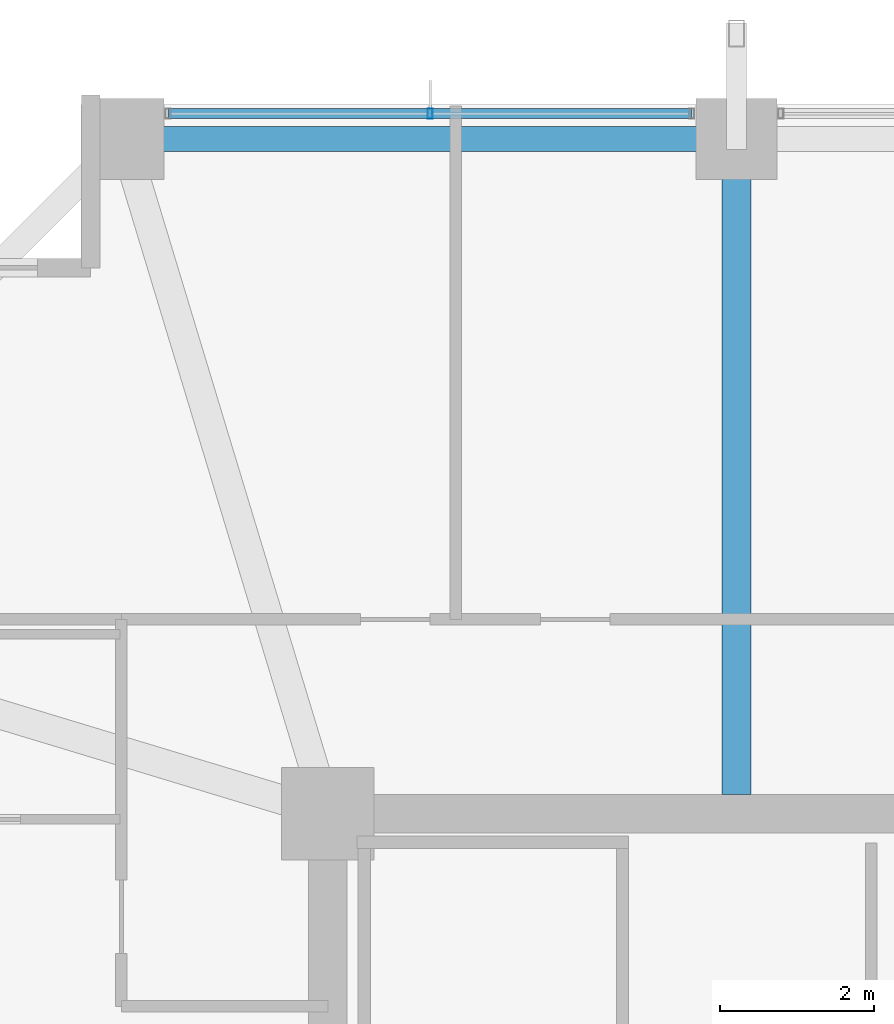
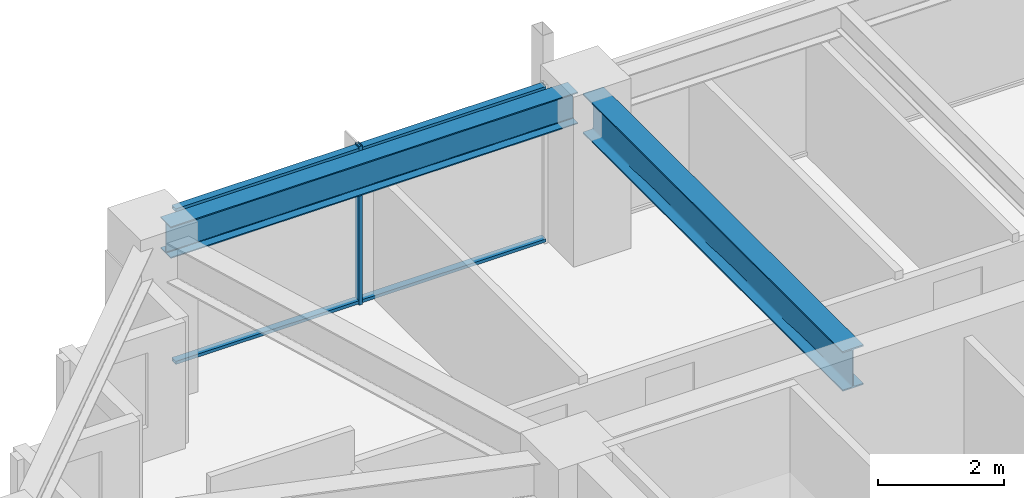
# One storey, part 21 of 38: 3 members, 2 beams, 1 element without a shape of its own.
"""IFC4 building model written with IfcOpenShell, lengths in metres."""

import ifcopenshell
import ifcopenshell.guid

model = None  # the IFC model being written
_history = None  # IfcOwnerHistory: only IFC2X3 demands one
_inside = {}  # id of a spatial element -> (the spatial element, [elements in it])
_under = {}  # id of a project, library or spatial element -> (it, [spatial elements below it])
_declared = {}  # id of a project -> (the project, [libraries it declares])
_typed = {}  # id of a type object -> (the type object, [elements of that type])
_made_of = {}  # id of a material, layer set ... -> (it, [elements and type objects made of it])


def new_model(schema):
    """Start an empty IFC model of exactly this schema.

    Asked for "IFC4X3", IfcOpenShell would pick the latest addendum, in which some entities
    have other attributes; the version numbers below select the first issue.
    IFC2X3 requires an IfcOwnerHistory on every rooted entity: one is made here for all.
    """
    global model, _history
    if schema == "IFC4X3":
        model = ifcopenshell.file(schema_version=(4, 3, 0, 0))
    else:
        model = ifcopenshell.file(schema=schema)
    _inside.clear()
    _under.clear()
    _declared.clear()
    _typed.clear()
    _made_of.clear()
    _history = None
    if model.schema == "IFC2X3":
        org = make("IfcOrganization", Name="unknown")
        user = make(
            "IfcPersonAndOrganization",
            ThePerson=make("IfcPerson", FamilyName="unknown"),
            TheOrganization=org,
        )
        app = make(
            "IfcApplication",
            ApplicationDeveloper=org,
            Version="unknown",
            ApplicationFullName="unknown",
            ApplicationIdentifier="unknown",
        )
        _history = make(
            "IfcOwnerHistory",
            OwningUser=user,
            OwningApplication=app,
            ChangeAction="ADDED",
            CreationDate=0,
        )
    return model


def make(cls, **values):
    """One entity of the class cls with the attributes given. An attribute that is None is left unset."""
    return model.create_entity(
        cls, **{name: value for name, value in values.items() if value is not None}
    )


def rooted(cls, **values):
    """An entity with a GlobalId (a new one), such as an element, a storey or a relation."""
    return make(cls, GlobalId=ifcopenshell.guid.new(), OwnerHistory=_history, **values)


def si_unit(unit_type, name, prefix=None):
    """IfcSIUnit, for example si_unit("LENGTHUNIT", "METRE", prefix="MILLI")."""
    return make("IfcSIUnit", UnitType=unit_type, Prefix=prefix, Name=name)


def assignment(units):
    """IfcUnitAssignment: the units of a project."""
    return None if units is None else make("IfcUnitAssignment", Units=units)


def point(xyz):
    """IfcCartesianPoint."""
    return None if xyz is None else make("IfcCartesianPoint", Coordinates=xyz)


def direction(xyz):
    """IfcDirection."""
    return None if xyz is None else make("IfcDirection", DirectionRatios=xyz)


def frame(location, z_axis=None, x_axis=None):
    """IfcAxis2Placement3D, a coordinate frame: its origin and axes. An axis left out is left unset."""
    return make(
        "IfcAxis2Placement3D",
        Location=point(location),
        Axis=direction(z_axis),
        RefDirection=direction(x_axis),
    )


def frame_2d(location, x_axis=None):
    """IfcAxis2Placement2D, a coordinate frame in the plane: its origin and x axis."""
    return make(
        "IfcAxis2Placement2D", Location=point(location), RefDirection=direction(x_axis)
    )


def origin():
    """The frame at (0, 0, 0) with its axes left unset."""
    return frame((0.0, 0.0, 0.0))


def origin_2d():
    """The frame at (0, 0) in the plane with its x axis left unset."""
    return frame_2d((0.0, 0.0))


def place(relative_to, where):
    """IfcLocalPlacement: puts the frame where relative to a parent placement (None: the world)."""
    return make(
        "IfcLocalPlacement", PlacementRelTo=relative_to, RelativePlacement=where
    )


def context(
    kind, dimensions, precision=None, world=None, true_north=None, identifier=None
):
    """IfcGeometricRepresentationContext, for example the 3D "Model" context."""
    return make(
        "IfcGeometricRepresentationContext",
        ContextIdentifier=identifier,
        ContextType=kind,
        CoordinateSpaceDimension=dimensions,
        Precision=precision,
        WorldCoordinateSystem=world,
        TrueNorth=true_north,
    )


def subcontext(parent, identifier, kind, view, scale=None):
    """IfcGeometricRepresentationSubContext, for example "Body" below "Model"."""
    return make(
        "IfcGeometricRepresentationSubContext",
        ContextIdentifier=identifier,
        ContextType=kind,
        ParentContext=parent,
        TargetScale=scale,
        TargetView=view,
    )


def project(units=None, contexts=None):
    """IfcProject with its units and contexts."""
    return rooted(
        "IfcProject",
        Name="project",
        RepresentationContexts=contexts,
        UnitsInContext=assignment(units),
    )


def spatial(cls, under=None, at=None, **own):
    """A site, building, storey or space (cls), placed at a placement, below another one or the project."""
    s = rooted(cls, ObjectPlacement=at, **own)
    if under is not None:
        _under.setdefault(under.id(), (under, []))[1].append(s)
    return s


def profile(cls, at=None, kind="AREA", **sizes):
    """A parametric profile (cls). Its sizes go by their IFC names, for example OverallWidth=200.0."""
    return make(cls, ProfileType=kind, Position=at, **sizes)


def hollow_rectangle(**sizes):
    """IfcRectangleHollowProfileDef."""
    return profile("IfcRectangleHollowProfileDef", **sizes)


def i_section(**sizes):
    """IfcIShapeProfileDef."""
    return profile("IfcIShapeProfileDef", **sizes)


def extrude(swept, where, along, depth):
    """IfcExtrudedAreaSolid: the profile swept, set in the frame where, extruded along a direction by depth."""
    return make(
        "IfcExtrudedAreaSolid",
        SweptArea=swept,
        Position=where,
        ExtrudedDirection=direction(along),
        Depth=depth,
    )


def shape(context_of_items, identifier, shape_type, items):
    """IfcShapeRepresentation: the items that make up one representation, for example the "Body"."""
    return make(
        "IfcShapeRepresentation",
        ContextOfItems=context_of_items,
        RepresentationIdentifier=identifier,
        RepresentationType=shape_type,
        Items=items,
    )


def material(Name=None, Category=None):
    """IfcMaterial."""
    return make("IfcMaterial", Name=Name, Category=Category)


def material_profile(
    of_material, cross_section, Name=None, Category=None, Priority=None
):
    """IfcMaterialProfile: a cross section and its material."""
    return make(
        "IfcMaterialProfile",
        Name=Name,
        Material=of_material,
        Profile=cross_section,
        Priority=Priority,
        Category=Category,
    )


def profile_set(profiles, Name=None, composite=None):
    """IfcMaterialProfileSet."""
    return make(
        "IfcMaterialProfileSet",
        Name=Name,
        MaterialProfiles=profiles,
        CompositeProfile=composite,
    )


def made_of(thing, what):
    """Note that an element or type object is made of a material, layer set ...; save() writes the relation."""
    if what is not None:
        _made_of.setdefault(what.id(), (what, []))[1].append(thing)
    return thing


def type_object(cls, material=None, **own):
    """A type object (cls), such as IfcWallType, which elements share."""
    return made_of(rooted(cls, **own), material)


def element(
    cls,
    number,
    at=None,
    inside=None,
    cuts=None,
    type_object=None,
    material=None,
    context=None,
    identifier="Body",
    shape_type=None,
    held_by="IfcProductDefinitionShape",
    body=None,
    shapes=None,
    **own,
):
    """One element of the class cls, such as IfcWall. Its Tag is "e" and its number.

    at: its placement. inside: the storey or other place that contains it. cuts: it is an
    opening in that element (IfcRelVoidsElement). A single representation is given by context,
    identifier, shape_type and body (its items); several are given by shapes. held_by: the class
    of the entity that holds the representations. save() writes the other relations.
    """
    e = rooted(cls, Tag="e%d" % number, ObjectPlacement=at, **own)
    if body is not None:
        shapes = [shape(context, identifier, shape_type, body)]
    if shapes is not None:
        e.Representation = make(held_by, Representations=shapes)
    if inside is not None:
        _inside.setdefault(inside.id(), (inside, []))[1].append(e)
    if cuts is not None:
        rooted(
            "IfcRelVoidsElement", RelatingBuildingElement=cuts, RelatedOpeningElement=e
        )
    if type_object is not None:
        _typed.setdefault(type_object.id(), (type_object, []))[1].append(e)
    return made_of(e, material)


def aggregate(whole, parts):
    """IfcRelAggregates: a whole, such as a stair, and the parts it consists of."""
    return rooted("IfcRelAggregates", RelatingObject=whole, RelatedObjects=parts)


def save(model, path):
    """Write the relations noted so far, then the file.

    IfcRelAggregates (storeys below a building ...), IfcRelContainedInSpatialStructure (elements
    in a storey), IfcRelDefinesByType, IfcRelAssociatesMaterial and IfcRelDeclares: one each for
    every whole, place, type object, material and project.
    """
    for whole, parts in _under.values():
        aggregate(whole, parts)
    for where, things in _inside.values():
        rooted(
            "IfcRelContainedInSpatialStructure",
            RelatedElements=things,
            RelatingStructure=where,
        )
    for kind, things in _typed.values():
        rooted("IfcRelDefinesByType", RelatedObjects=things, RelatingType=kind)
    for what, things in _made_of.values():
        rooted("IfcRelAssociatesMaterial", RelatedObjects=things, RelatingMaterial=what)
    for by, libraries in _declared.values():
        rooted("IfcRelDeclares", RelatingContext=by, RelatedDefinitions=libraries)
    model.write(path)


model = new_model("IFC4")

# Units and contexts
model_context = context("Model", 3, precision=1e-05, world=origin(), true_north=direction((0.0, 1.0)))
body_context = subcontext(model_context, "Body", "Model", "MODEL_VIEW")
ifc_project = project(units=[si_unit("LENGTHUNIT", "METRE"), si_unit("AREAUNIT", "SQUARE_METRE"), si_unit("VOLUMEUNIT", "CUBIC_METRE"), si_unit("PLANEANGLEUNIT", "RADIAN"), si_unit("MASSUNIT", "GRAM", prefix="KILO")], contexts=[model_context])

# Site, building, storey
site_placement = place(None, origin())
site = spatial("IfcSite", under=ifc_project, at=site_placement, CompositionType="ELEMENT")
building_placement = place(site_placement, origin())
building = spatial("IfcBuilding", under=site, at=building_placement, Name="Kolvaren Belvedere", CompositionType="ELEMENT")
storey_placement = place(building_placement, frame((0.0, 0.0, 121.699951171875)))
storey = spatial("IfcBuildingStorey", under=building, at=storey_placement, Name="L35", CompositionType="ELEMENT", Elevation=121.699951171875)

# Beams
ifc_material_1 = material(Name="Structural steel ASTM A992 Grade 50", Category="steel")
ifc_material_profile_1 = material_profile(ifc_material_1, i_section(OverallWidth=0.381103515625, OverallDepth=0.77294921875, WebThickness=0.0166015625, FlangeThickness=0.027099609375, FilletRadius=0.02392578125, at=origin_2d()), Name="W30X173")
ifc_profile_set_1 = profile_set([ifc_material_profile_1], Name="Structural steel ASTM A992 Grade 50")
beam_type_1 = type_object("IfcBeamType", Name="BM-GIRD-W30X173", PredefinedType="BEAM", material=ifc_profile_set_1)
beam_1_placement = place(storey_placement, frame((-4.60009765625, 10.14990234375, 2.693603515625), z_axis=(0.0, 1.0, 0.0), x_axis=(-1.0, 0.0, 0.0)))
element("IfcBeam", 1, at=beam_1_placement, inside=storey, type_object=beam_type_1, Name="L35 North Radial Girder M", PredefinedType="BEAM", context=body_context, shape_type="SweptSolid", body=[
    extrude(i_section(OverallWidth=0.381103515625, OverallDepth=0.77294921875, WebThickness=0.0166015625, FlangeThickness=0.027099609375, FilletRadius=0.02392578125, at=origin_2d()), origin(), (0.0, 0.0, 1.0), 8.263916015625),
])
ifc_material_2 = material(Name="Structural steel ASTM A992 Grade 50", Category="steel")
ifc_material_profile_2 = material_profile(ifc_material_2, i_section(OverallWidth=0.324951171875, OverallDepth=0.615966796875, WebThickness=0.013916015625, FlangeThickness=0.021484375, FilletRadius=0.02001953125, at=origin_2d()), Name="W24X117")
ifc_profile_set_2 = profile_set([ifc_material_profile_2], Name="Structural steel ASTM A992 Grade 50")
beam_type_2 = type_object("IfcBeamType", Name="BM-SPAN-W24X117", PredefinedType="SPANDREL", material=ifc_profile_set_2)
beam_2_placement = place(storey_placement, frame((-4.836181640625, 18.64990234375, 2.77197265625), z_axis=(-1.0, 0.0, 0.0), x_axis=(0.0, -1.0, 0.0)))
element("IfcBeam", 2, at=beam_2_placement, inside=storey, type_object=beam_type_2, Name="L35 Perimeter Spandrel N2-N1", PredefinedType="SPANDREL", context=body_context, shape_type="SweptSolid", body=[
    extrude(i_section(OverallWidth=0.324951171875, OverallDepth=0.615966796875, WebThickness=0.013916015625, FlangeThickness=0.021484375, FilletRadius=0.02001953125, at=origin_2d()), origin(), (0.0, 0.0, 1.0), 7.4775390625),
])

# Curtain wall, members
ifc_material_3 = material(Name="Anodised pale-metal aluminium AA 6063-T6", Category="aluminium")
curtain_wall_type = type_object("IfcCurtainWallType", Name="CW-Z3-WAIST", PredefinedType="NOTDEFINED", material=ifc_material_3)
curtain_wall_placement = place(storey_placement, origin())
curtain_wall = element("IfcCurtainWall", 3, at=curtain_wall_placement, inside=storey, type_object=curtain_wall_type, Name="L35 Unitised Curtain Wall FCW-L35-N-B1", PredefinedType="NOTDEFINED")
ifc_material_4 = material(Name="Anodised pale-metal aluminium AA 6063-T6", Category="aluminium")
ifc_material_profile_3 = material_profile(ifc_material_4, hollow_rectangle(XDim=0.06494140625, YDim=0.1298828125, WallThickness=0.00390625, at=origin_2d()), Name="ALU-MUL-130X65")
ifc_profile_set_3 = profile_set([ifc_material_profile_3], Name="Anodised pale-metal aluminium AA 6063-T6")
member_type_1 = type_object("IfcMemberType", Name="CW-MUL-130", PredefinedType="MULLION", material=ifc_profile_set_3)
member_1_placement = place(storey_placement, frame((-8.574951171875, 18.97998046875, 0.0), z_axis=(0.0, 0.0, 1.0), x_axis=(1.0, 0.0, 0.0)))
member_1 = element("IfcMember", 4, at=member_1_placement, type_object=member_type_1, Name="FCW-L35-N-B1 Unitised Mullion 2", PredefinedType="MULLION", context=body_context, shape_type="SweptSolid", body=[
    extrude(hollow_rectangle(XDim=0.06494140625, YDim=0.1298828125, WallThickness=0.00390625, at=origin_2d()), origin(), (0.0, 0.0, 1.0), 3.080078125),
])
ifc_material_5 = material(Name="Anodised pale-metal aluminium AA 6063-T6", Category="aluminium")
ifc_material_profile_4 = material_profile(ifc_material_5, hollow_rectangle(XDim=0.06005859375, YDim=0.1298828125, WallThickness=0.00390625, at=origin_2d()), Name="ALU-TRN-130X60")
ifc_profile_set_4 = profile_set([ifc_material_profile_4], Name="Anodised pale-metal aluminium AA 6063-T6")
member_type_2 = type_object("IfcMemberType", Name="CW-TRN-130", PredefinedType="USERDEFINED", material=ifc_profile_set_4)
member_2_placement = place(storey_placement, frame((-11.972412109375, 18.97998046875, 0.06005859375), z_axis=(1.0, 0.0, 0.0), x_axis=(0.0, 0.0, 1.0)))
member_2 = element("IfcMember", 5, at=member_2_placement, type_object=member_type_2, Name="FCW-L35-N-B1 Sill Transom", ObjectType="TRANSOM", PredefinedType="USERDEFINED", context=body_context, shape_type="SweptSolid", body=[
    extrude(hollow_rectangle(XDim=0.06005859375, YDim=0.1298828125, WallThickness=0.00390625, at=origin_2d()), origin(), (0.0, 0.0, 1.0), 6.794921875),
])
member_3_placement = place(storey_placement, frame((-11.972412109375, 18.97998046875, 3.02001953125), z_axis=(1.0, 0.0, 0.0), x_axis=(0.0, 0.0, 1.0)))
member_3 = element("IfcMember", 6, at=member_3_placement, type_object=member_type_2, Name="FCW-L35-N-B1 Head Transom", ObjectType="TRANSOM", PredefinedType="USERDEFINED", context=body_context, shape_type="SweptSolid", body=[
    extrude(hollow_rectangle(XDim=0.06005859375, YDim=0.1298828125, WallThickness=0.00390625, at=origin_2d()), origin(), (0.0, 0.0, 1.0), 6.794921875),
])
aggregate(curtain_wall, [member_1, member_2, member_3])

save(model, "model.ifc")
